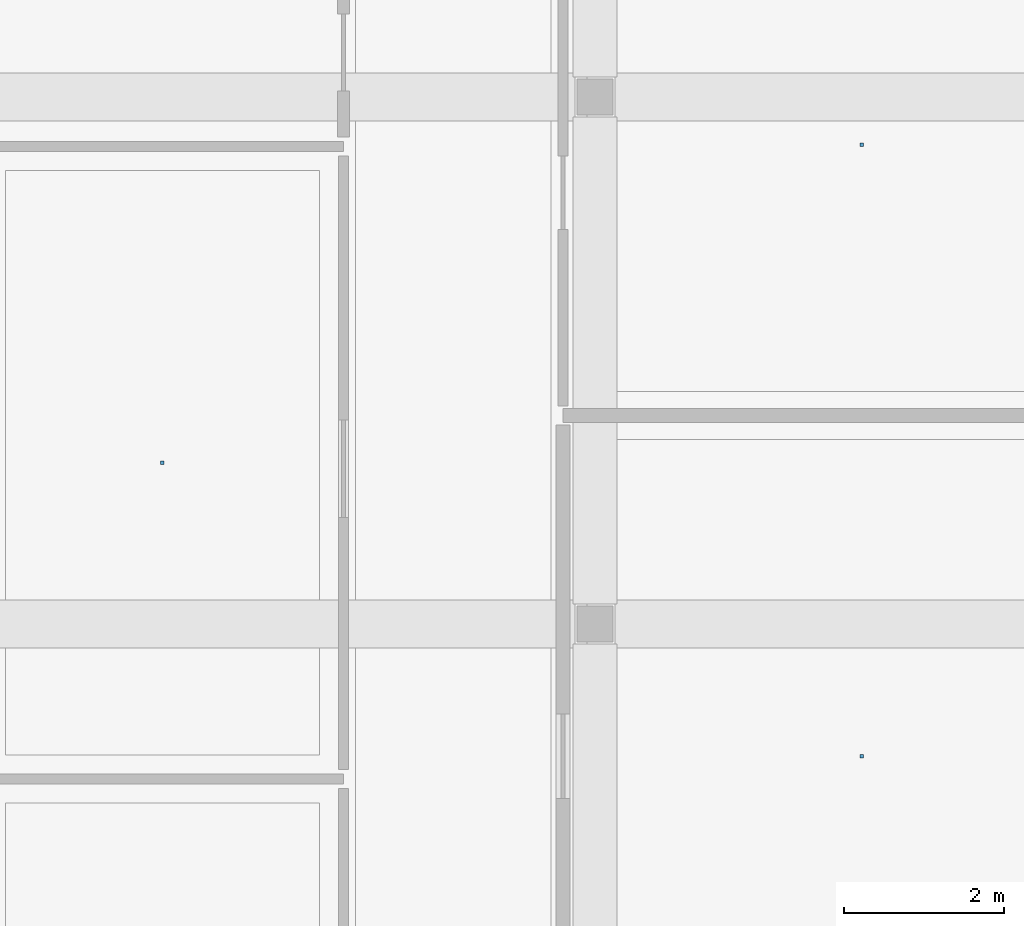
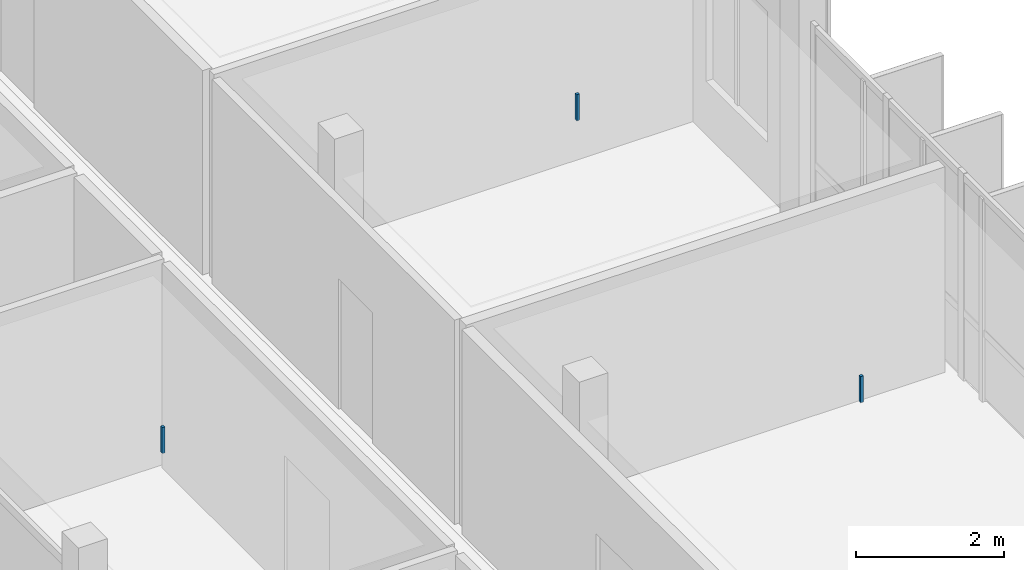
# One storey, part 75 of 86: 3 discrete accessories.
"""IFC4 building model written with IfcOpenShell, lengths in metres."""

from ifc_helpers import new_model, si_unit, derived_unit, direction, frame, origin, origin_2d, place, context, subcontext, project, spatial, rectangle, extrude, material, type_object, element, save


model = new_model("IFC4")

# Units and contexts
model_context = context("Model", 3, precision=1e-05, world=origin(), true_north=direction((0.0, 1.0)))
body_context = subcontext(model_context, "Body", "Model", "MODEL_VIEW")
ifc_project = project(units=[si_unit("LENGTHUNIT", "METRE"), si_unit("AREAUNIT", "SQUARE_METRE"), si_unit("VOLUMEUNIT", "CUBIC_METRE"), si_unit("PLANEANGLEUNIT", "RADIAN"), si_unit("MASSUNIT", "GRAM", prefix="KILO"), derived_unit("THERMALTRANSMITTANCEUNIT", [(si_unit("POWERUNIT", "WATT"), 1), (si_unit("LENGTHUNIT", "METRE"), -2), (si_unit("THERMODYNAMICTEMPERATUREUNIT", "KELVIN"), -1)])], contexts=[model_context])

# Site, building, storey
site_placement = place(None, origin())
site = spatial("IfcSite", under=ifc_project, at=site_placement, CompositionType="ELEMENT")
building_placement = place(site_placement, origin())
building = spatial("IfcBuilding", under=site, at=building_placement, Name="Braskholm Square Health Centre", CompositionType="ELEMENT")
storey_placement = place(building_placement, frame((0.0, 0.0, 13.5)))
storey = spatial("IfcBuildingStorey", under=building, at=storey_placement, Name="L04", CompositionType="ELEMENT", Elevation=13.5)

# Discrete accessories
ifc_material = material(Name="Steel ASTM A500 Grade C", Category="steel")
discrete_accessory_type = type_object("IfcDiscreteAccessoryType", Name="CeilingSuspensionBracket", PredefinedType="BRACKET", material=ifc_material)
for number, where, z_axis, x_axis, name in (
    (1, (159.93994140625, 92.14501953125, 3.35205078125), (0.0, 0.0, 1.0), (1.0, 0.0, 0.0), "Ceiling hanger bracket 0179"),
    (2, (159.93994140625, 99.800048828125, 3.35205078125), (0.0, 0.0, 1.0), (1.0, 0.0, 0.0), "Ceiling hanger bracket 0180"),
    (3, (151.18505859375, 95.820068359375, 3.35205078125), (0.0, 0.0, 1.0), (1.0, 0.0, 0.0), "Ceiling hanger bracket 0187"),
):
    element("IfcDiscreteAccessory", number, at=place(storey_placement, frame(where, z_axis=z_axis, x_axis=x_axis)), inside=storey, type_object=discrete_accessory_type, Name=name, PredefinedType="BRACKET", context=body_context, shape_type="SweptSolid", body=[
        extrude(rectangle(XDim=0.044921875, YDim=0.044921875, at=origin_2d()), origin(), (0.0, 0.0, 1.0), 0.429931640625),
    ])

save(model, "model.ifc")
